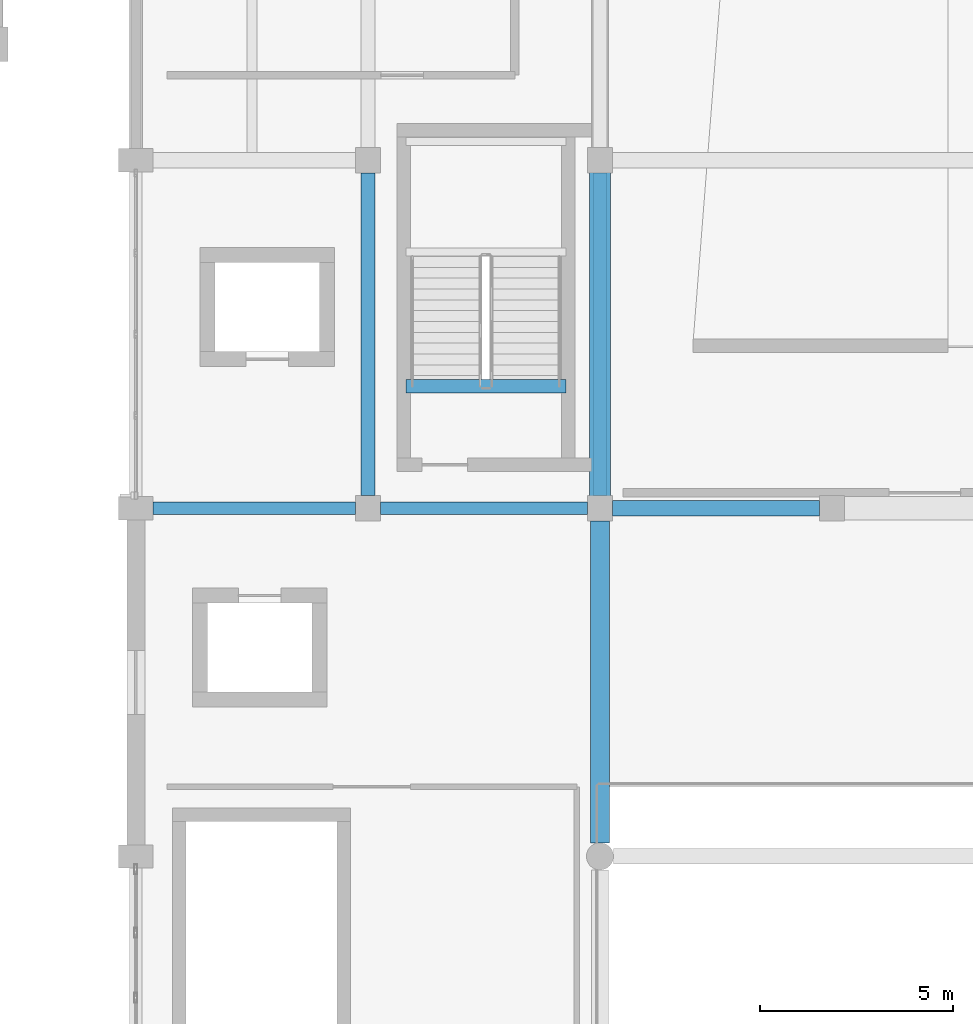
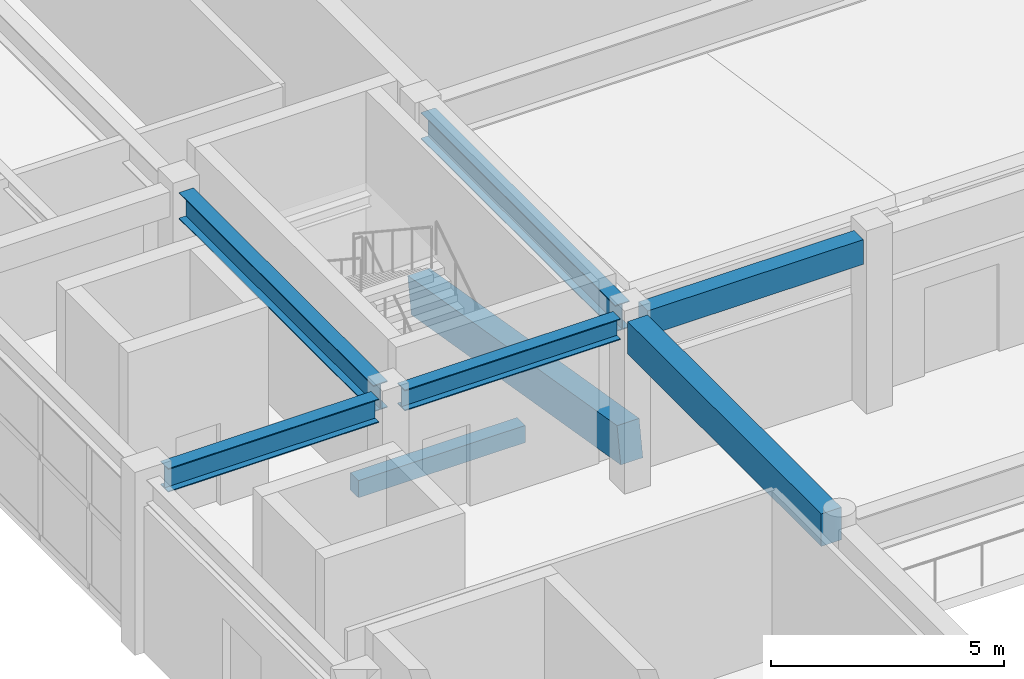
# One storey, part 7 of 80: 8 beams.
"""IFC4 building model written with IfcOpenShell, lengths in metres."""

import ifcopenshell
import ifcopenshell.guid

model = None  # the IFC model being written
_history = None  # IfcOwnerHistory: only IFC2X3 demands one
_inside = {}  # id of a spatial element -> (the spatial element, [elements in it])
_under = {}  # id of a project, library or spatial element -> (it, [spatial elements below it])
_declared = {}  # id of a project -> (the project, [libraries it declares])
_typed = {}  # id of a type object -> (the type object, [elements of that type])
_made_of = {}  # id of a material, layer set ... -> (it, [elements and type objects made of it])


def new_model(schema):
    """Start an empty IFC model of exactly this schema.

    Asked for "IFC4X3", IfcOpenShell would pick the latest addendum, in which some entities
    have other attributes; the version numbers below select the first issue.
    IFC2X3 requires an IfcOwnerHistory on every rooted entity: one is made here for all.
    """
    global model, _history
    if schema == "IFC4X3":
        model = ifcopenshell.file(schema_version=(4, 3, 0, 0))
    else:
        model = ifcopenshell.file(schema=schema)
    _inside.clear()
    _under.clear()
    _declared.clear()
    _typed.clear()
    _made_of.clear()
    _history = None
    if model.schema == "IFC2X3":
        org = make("IfcOrganization", Name="unknown")
        user = make(
            "IfcPersonAndOrganization",
            ThePerson=make("IfcPerson", FamilyName="unknown"),
            TheOrganization=org,
        )
        app = make(
            "IfcApplication",
            ApplicationDeveloper=org,
            Version="unknown",
            ApplicationFullName="unknown",
            ApplicationIdentifier="unknown",
        )
        _history = make(
            "IfcOwnerHistory",
            OwningUser=user,
            OwningApplication=app,
            ChangeAction="ADDED",
            CreationDate=0,
        )
    return model


def make(cls, **values):
    """One entity of the class cls with the attributes given. An attribute that is None is left unset."""
    return model.create_entity(
        cls, **{name: value for name, value in values.items() if value is not None}
    )


def rooted(cls, **values):
    """An entity with a GlobalId (a new one), such as an element, a storey or a relation."""
    return make(cls, GlobalId=ifcopenshell.guid.new(), OwnerHistory=_history, **values)


def si_unit(unit_type, name, prefix=None):
    """IfcSIUnit, for example si_unit("LENGTHUNIT", "METRE", prefix="MILLI")."""
    return make("IfcSIUnit", UnitType=unit_type, Prefix=prefix, Name=name)


def assignment(units):
    """IfcUnitAssignment: the units of a project."""
    return None if units is None else make("IfcUnitAssignment", Units=units)


def point(xyz):
    """IfcCartesianPoint."""
    return None if xyz is None else make("IfcCartesianPoint", Coordinates=xyz)


def direction(xyz):
    """IfcDirection."""
    return None if xyz is None else make("IfcDirection", DirectionRatios=xyz)


def frame(location, z_axis=None, x_axis=None):
    """IfcAxis2Placement3D, a coordinate frame: its origin and axes. An axis left out is left unset."""
    return make(
        "IfcAxis2Placement3D",
        Location=point(location),
        Axis=direction(z_axis),
        RefDirection=direction(x_axis),
    )


def frame_2d(location, x_axis=None):
    """IfcAxis2Placement2D, a coordinate frame in the plane: its origin and x axis."""
    return make(
        "IfcAxis2Placement2D", Location=point(location), RefDirection=direction(x_axis)
    )


def origin():
    """The frame at (0, 0, 0) with its axes left unset."""
    return frame((0.0, 0.0, 0.0))


def origin_2d():
    """The frame at (0, 0) in the plane with its x axis left unset."""
    return frame_2d((0.0, 0.0))


def place(relative_to, where):
    """IfcLocalPlacement: puts the frame where relative to a parent placement (None: the world)."""
    return make(
        "IfcLocalPlacement", PlacementRelTo=relative_to, RelativePlacement=where
    )


def context(
    kind, dimensions, precision=None, world=None, true_north=None, identifier=None
):
    """IfcGeometricRepresentationContext, for example the 3D "Model" context."""
    return make(
        "IfcGeometricRepresentationContext",
        ContextIdentifier=identifier,
        ContextType=kind,
        CoordinateSpaceDimension=dimensions,
        Precision=precision,
        WorldCoordinateSystem=world,
        TrueNorth=true_north,
    )


def subcontext(parent, identifier, kind, view, scale=None):
    """IfcGeometricRepresentationSubContext, for example "Body" below "Model"."""
    return make(
        "IfcGeometricRepresentationSubContext",
        ContextIdentifier=identifier,
        ContextType=kind,
        ParentContext=parent,
        TargetScale=scale,
        TargetView=view,
    )


def project(units=None, contexts=None):
    """IfcProject with its units and contexts."""
    return rooted(
        "IfcProject",
        Name="project",
        RepresentationContexts=contexts,
        UnitsInContext=assignment(units),
    )


def spatial(cls, under=None, at=None, **own):
    """A site, building, storey or space (cls), placed at a placement, below another one or the project."""
    s = rooted(cls, ObjectPlacement=at, **own)
    if under is not None:
        _under.setdefault(under.id(), (under, []))[1].append(s)
    return s


def profile(cls, at=None, kind="AREA", **sizes):
    """A parametric profile (cls). Its sizes go by their IFC names, for example OverallWidth=200.0."""
    return make(cls, ProfileType=kind, Position=at, **sizes)


def rectangle(**sizes):
    """IfcRectangleProfileDef."""
    return profile("IfcRectangleProfileDef", **sizes)


def i_section(**sizes):
    """IfcIShapeProfileDef."""
    return profile("IfcIShapeProfileDef", **sizes)


def extrude(swept, where, along, depth):
    """IfcExtrudedAreaSolid: the profile swept, set in the frame where, extruded along a direction by depth."""
    return make(
        "IfcExtrudedAreaSolid",
        SweptArea=swept,
        Position=where,
        ExtrudedDirection=direction(along),
        Depth=depth,
    )


def shape(context_of_items, identifier, shape_type, items):
    """IfcShapeRepresentation: the items that make up one representation, for example the "Body"."""
    return make(
        "IfcShapeRepresentation",
        ContextOfItems=context_of_items,
        RepresentationIdentifier=identifier,
        RepresentationType=shape_type,
        Items=items,
    )


def material(Name=None, Category=None):
    """IfcMaterial."""
    return make("IfcMaterial", Name=Name, Category=Category)


def material_profile(
    of_material, cross_section, Name=None, Category=None, Priority=None
):
    """IfcMaterialProfile: a cross section and its material."""
    return make(
        "IfcMaterialProfile",
        Name=Name,
        Material=of_material,
        Profile=cross_section,
        Priority=Priority,
        Category=Category,
    )


def profile_set(profiles, Name=None, composite=None):
    """IfcMaterialProfileSet."""
    return make(
        "IfcMaterialProfileSet",
        Name=Name,
        MaterialProfiles=profiles,
        CompositeProfile=composite,
    )


def made_of(thing, what):
    """Note that an element or type object is made of a material, layer set ...; save() writes the relation."""
    if what is not None:
        _made_of.setdefault(what.id(), (what, []))[1].append(thing)
    return thing


def type_object(cls, material=None, **own):
    """A type object (cls), such as IfcWallType, which elements share."""
    return made_of(rooted(cls, **own), material)


def element(
    cls,
    number,
    at=None,
    inside=None,
    cuts=None,
    type_object=None,
    material=None,
    context=None,
    identifier="Body",
    shape_type=None,
    held_by="IfcProductDefinitionShape",
    body=None,
    shapes=None,
    **own,
):
    """One element of the class cls, such as IfcWall. Its Tag is "e" and its number.

    at: its placement. inside: the storey or other place that contains it. cuts: it is an
    opening in that element (IfcRelVoidsElement). A single representation is given by context,
    identifier, shape_type and body (its items); several are given by shapes. held_by: the class
    of the entity that holds the representations. save() writes the other relations.
    """
    e = rooted(cls, Tag="e%d" % number, ObjectPlacement=at, **own)
    if body is not None:
        shapes = [shape(context, identifier, shape_type, body)]
    if shapes is not None:
        e.Representation = make(held_by, Representations=shapes)
    if inside is not None:
        _inside.setdefault(inside.id(), (inside, []))[1].append(e)
    if cuts is not None:
        rooted(
            "IfcRelVoidsElement", RelatingBuildingElement=cuts, RelatedOpeningElement=e
        )
    if type_object is not None:
        _typed.setdefault(type_object.id(), (type_object, []))[1].append(e)
    return made_of(e, material)


def aggregate(whole, parts):
    """IfcRelAggregates: a whole, such as a stair, and the parts it consists of."""
    return rooted("IfcRelAggregates", RelatingObject=whole, RelatedObjects=parts)


def save(model, path):
    """Write the relations noted so far, then the file.

    IfcRelAggregates (storeys below a building ...), IfcRelContainedInSpatialStructure (elements
    in a storey), IfcRelDefinesByType, IfcRelAssociatesMaterial and IfcRelDeclares: one each for
    every whole, place, type object, material and project.
    """
    for whole, parts in _under.values():
        aggregate(whole, parts)
    for where, things in _inside.values():
        rooted(
            "IfcRelContainedInSpatialStructure",
            RelatedElements=things,
            RelatingStructure=where,
        )
    for kind, things in _typed.values():
        rooted("IfcRelDefinesByType", RelatedObjects=things, RelatingType=kind)
    for what, things in _made_of.values():
        rooted("IfcRelAssociatesMaterial", RelatedObjects=things, RelatingMaterial=what)
    for by, libraries in _declared.values():
        rooted("IfcRelDeclares", RelatingContext=by, RelatedDefinitions=libraries)
    model.write(path)


model = new_model("IFC4")

# Units and contexts
model_context = context("Model", 3, precision=1e-05, world=origin(), true_north=direction((0.0, 1.0)))
body_context = subcontext(model_context, "Body", "Model", "MODEL_VIEW")
ifc_project = project(units=[si_unit("LENGTHUNIT", "METRE"), si_unit("AREAUNIT", "SQUARE_METRE"), si_unit("VOLUMEUNIT", "CUBIC_METRE"), si_unit("PLANEANGLEUNIT", "RADIAN"), si_unit("MASSUNIT", "GRAM", prefix="KILO")], contexts=[model_context])

# Site, building, storey
site_placement = place(None, origin())
site = spatial("IfcSite", under=ifc_project, at=site_placement, CompositionType="ELEMENT")
building_placement = place(site_placement, origin())
building = spatial("IfcBuilding", under=site, at=building_placement, Name="Vaelkrest Opera House", CompositionType="ELEMENT")
storey_placement = place(building_placement, frame((0.0, 0.0, 15.0)))
storey = spatial("IfcBuildingStorey", under=building, at=storey_placement, Name="L03", CompositionType="ELEMENT", Elevation=15.0)

# Beams
ifc_material_1 = material(Name="Concrete C50/60", Category="concrete")
ifc_material_profile_1 = material_profile(ifc_material_1, rectangle(XDim=0.39990234375, YDim=0.64990234375, at=origin_2d()), Name="RCB400X650")
ifc_profile_set_1 = profile_set([ifc_material_profile_1], Name="Concrete C50/60")
beam_type_1 = type_object("IfcBeamType", Name="B01", PredefinedType="BEAM", material=ifc_profile_set_1)
beam_1_placement = place(storey_placement, frame((-17.675048828125, -28.800048828125, 4.179931640625), z_axis=(1.0, 0.0, 0.0), x_axis=(0.0, 1.0, 0.0)))
element("IfcBeam", 1, at=beam_1_placement, inside=storey, type_object=beam_type_1, Name="Beam BM-V1-L03-0437", PredefinedType="BEAM", context=body_context, shape_type="SweptSolid", body=[
    extrude(rectangle(XDim=0.39990234375, YDim=0.64990234375, at=origin_2d()), origin(), (0.0, 0.0, 1.0), 5.35009765625),
])
ifc_material_profile_2 = material_profile(ifc_material_1, rectangle(XDim=0.5, YDim=0.85009765625, at=origin_2d()), Name="RCB500X850")
ifc_profile_set_2 = profile_set([ifc_material_profile_2], Name="Concrete C50/60")
beam_type_2 = type_object("IfcBeamType", Name="B03", PredefinedType="BEAM", material=ifc_profile_set_2)
beam_2_placement = place(storey_placement, frame((-18.0, -37.449951171875, 4.080078125), z_axis=(0.0, 1.0, 0.0), x_axis=(-1.0, 0.0, 0.0)))
element("IfcBeam", 2, at=beam_2_placement, inside=storey, type_object=beam_type_2, Name="Beam BM-V1-L03-0488", PredefinedType="BEAM", context=body_context, shape_type="SweptSolid", body=[
    extrude(rectangle(XDim=0.5, YDim=0.85009765625, at=origin_2d()), origin(), (0.0, 0.0, 1.0), 8.324951171875),
])
ifc_material_profile_3 = material_profile(ifc_material_1, rectangle(XDim=0.550048828125, YDim=0.949951171875, at=origin_2d()), Name="RCB550X950")
ifc_profile_set_3 = profile_set([ifc_material_profile_3], Name="Concrete C50/60")
beam_type_3 = type_object("IfcBeamType", Name="B04", PredefinedType="BEAM", material=ifc_profile_set_3)
beam_3_placement = place(storey_placement, frame((-18.0, -19.800048828125, -0.449951171875), z_axis=(0.0, -0.986035940065, 0.166532654157), x_axis=(1.0, 0.0, 0.0)))
element("IfcBeam", 3, at=beam_3_placement, inside=storey, type_object=beam_type_3, Name="Auditorium raker beam 7", PredefinedType="BEAM", context=body_context, shape_type="SweptSolid", body=[
    extrude(rectangle(XDim=0.550048828125, YDim=0.949951171875, at=origin_2d()), origin(), (0.0, 0.0, 1.0), 9.12744140625),
])
ifc_material_2 = material(Name="Steel A992 Gr50", Category="steel")
ifc_material_profile_4 = material_profile(ifc_material_2, i_section(OverallWidth=0.35498046875, OverallDepth=0.695068359375, WebThickness=0.015380859375, FlangeThickness=0.02490234375, at=origin_2d()), Name="W27X146")
ifc_profile_set_4 = profile_set([ifc_material_profile_4], Name="Steel A992 Gr50")
beam_type_4 = type_object("IfcBeamType", Name="B10", PredefinedType="BEAM", material=ifc_profile_set_4)
for number, where, z_axis, x_axis, name in (
    (4, (-24.0, -28.47509765625, 4.157470703125), (0.0, 1.0, 0.0), (-1.0, 0.0, 0.0), "Beam BM-V1-L03-0481"),
    (5, (-18.0, -28.47509765625, 4.157470703125), (0.0, 1.0, 0.0), (-1.0, 0.0, 0.0), "Beam BM-V1-L03-0489"),
):
    element("IfcBeam", number, at=place(storey_placement, frame(where, z_axis=z_axis, x_axis=x_axis)), inside=storey, type_object=beam_type_4, Name=name, PredefinedType="BEAM", context=body_context, shape_type="SweptSolid", body=[
        extrude(i_section(OverallWidth=0.35498046875, OverallDepth=0.695068359375, WebThickness=0.015380859375, FlangeThickness=0.02490234375, at=origin_2d()), origin(), (0.0, 0.0, 1.0), 8.35009765625),
    ])
ifc_material_profile_5 = material_profile(ifc_material_2, i_section(OverallWidth=0.326904296875, OverallDepth=0.6220703125, WebThickness=0.015380859375, FlangeThickness=0.0244140625, at=origin_2d()), Name="W24X131")
ifc_profile_set_5 = profile_set([ifc_material_profile_5], Name="Steel A992 Gr50")
beam_type_5 = type_object("IfcBeamType", Name="B19", PredefinedType="BEAM", material=ifc_profile_set_5)
beam_4_placement = place(storey_placement, frame((-29.550048828125, -28.800048828125, 4.194091796875), z_axis=(1.0, 0.0, 0.0), x_axis=(0.0, 1.0, 0.0)))
element("IfcBeam", 6, at=beam_4_placement, inside=storey, type_object=beam_type_5, Name="Beam BM-V1-L03-0435", PredefinedType="BEAM", context=body_context, shape_type="SweptSolid", body=[
    extrude(i_section(OverallWidth=0.326904296875, OverallDepth=0.6220703125, WebThickness=0.015380859375, FlangeThickness=0.0244140625, at=origin_2d()), origin(), (0.0, 0.0, 1.0), 5.22509765625),
])
ifc_material_profile_6 = material_profile(ifc_material_2, i_section(OverallWidth=0.31494140625, OverallDepth=0.551025390625, WebThickness=0.01513671875, FlangeThickness=0.0244140625, at=origin_2d()), Name="W21X122")
ifc_profile_set_6 = profile_set([ifc_material_profile_6], Name="Steel A992 Gr50")
beam_type_6 = type_object("IfcBeamType", Name="B20", PredefinedType="BEAM", material=ifc_profile_set_6)
beam_5_placement = place(storey_placement, frame((-23.675048828125, -28.800048828125, 4.2294921875), z_axis=(1.0, 0.0, 0.0), x_axis=(0.0, 1.0, 0.0)))
element("IfcBeam", 7, at=beam_5_placement, inside=storey, type_object=beam_type_6, Name="Beam BM-V1-L03-0436", PredefinedType="BEAM", context=body_context, shape_type="SweptSolid", body=[
    extrude(i_section(OverallWidth=0.31494140625, OverallDepth=0.551025390625, WebThickness=0.01513671875, FlangeThickness=0.0244140625, at=origin_2d()), origin(), (0.0, 0.0, 1.0), 5.35009765625),
])
ifc_material_profile_7 = material_profile(ifc_material_1, rectangle(XDim=0.35009765625, YDim=0.449951171875, at=origin_2d()), Name="RCB350X450")
ifc_profile_set_7 = profile_set([ifc_material_profile_7], Name="Concrete C50/60")
beam_type_7 = type_object("IfcBeamType", Name="LN01", PredefinedType="LINTEL", material=ifc_profile_set_7)
beam_6_placement = place(storey_placement, frame((-23.02001953125, -25.64990234375, -0.22509765625), z_axis=(1.0, 0.0, 0.0), x_axis=(0.0, 1.0, 0.0)))
element("IfcBeam", 8, at=beam_6_placement, inside=storey, type_object=beam_type_7, Name="Stairwell trimmer beam ST01 L03", PredefinedType="LINTEL", context=body_context, shape_type="SweptSolid", body=[
    extrude(rectangle(XDim=0.35009765625, YDim=0.449951171875, at=origin_2d()), origin(), (0.0, 0.0, 1.0), 4.14013671875),
])

save(model, "model.ifc")
